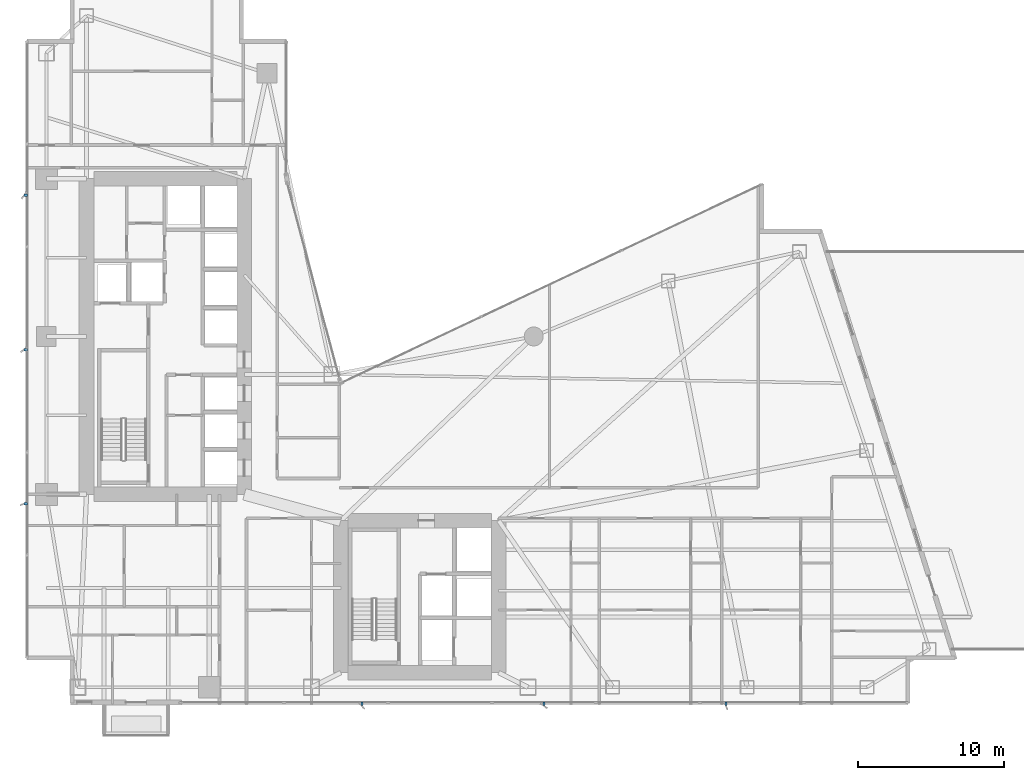
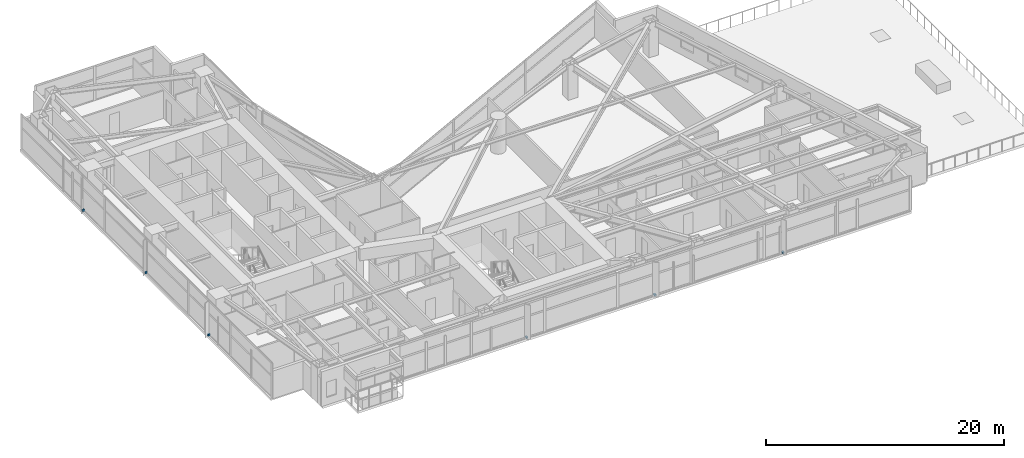
# One storey, part 27 of 30: 6 discrete accessories.
"""IFC4 building model written with IfcOpenShell, lengths in metres."""

from ifc_helpers import new_model, si_unit, direction, frame, origin, origin_2d, place, context, subcontext, project, spatial, rectangle, extrude, material, type_object, element, save


model = new_model("IFC4")

# Units and contexts
model_context = context("Model", 3, precision=1e-05, world=origin(), true_north=direction((0.0, 1.0)))
body_context = subcontext(model_context, "Body", "Model", "MODEL_VIEW")
ifc_project = project(units=[si_unit("LENGTHUNIT", "METRE"), si_unit("AREAUNIT", "SQUARE_METRE"), si_unit("VOLUMEUNIT", "CUBIC_METRE"), si_unit("PLANEANGLEUNIT", "RADIAN"), si_unit("MASSUNIT", "GRAM", prefix="KILO")], contexts=[model_context])

# Site, building, storey
site_placement = place(None, origin())
site = spatial("IfcSite", under=ifc_project, at=site_placement, CompositionType="ELEMENT")
building_placement = place(site_placement, origin())
building = spatial("IfcBuilding", under=site, at=building_placement, Name="Calvorn Quay Hotel", CompositionType="ELEMENT")
storey_placement = place(building_placement, frame((0.0, 0.0, 27.0)))
storey = spatial("IfcBuildingStorey", under=building, at=storey_placement, Name="L05", CompositionType="ELEMENT", Elevation=27.0)

# Discrete accessories
ifc_material = material(Name="Steel Q355B", Category="steel")
discrete_accessory_type = type_object("IfcDiscreteAccessoryType", Name="ACC-FIN-BRACKET", PredefinedType="BRACKET", material=ifc_material)
for number, where, z_axis, x_axis, name in (
    (1, (0.06005859375, 16.14990234375, 0.0302734375), (0.0, 0.0, 1.0), (1.0, 0.0, 0.0), "Fin Anchor Bracket L05-W01"),
    (2, (0.06005859375, 26.699951171875, 0.0302734375), (0.0, 0.0, 1.0), (1.0, 0.0, 0.0), "Fin Anchor Bracket L05-W02"),
    (3, (0.06005859375, 37.25, 0.0302734375), (0.0, 0.0, 1.0), (1.0, 0.0, 0.0), "Fin Anchor Bracket L05-W03"),
    (4, (23.050048828125, 2.4599609375, 0.0302734375), (0.0, 0.0, 1.0), (0.0, 1.0, 0.0), "Fin Anchor Bracket L05-S01"),
    (5, (35.5, 2.4599609375, 0.0302734375), (0.0, 0.0, 1.0), (0.0, 1.0, 0.0), "Fin Anchor Bracket L05-S02"),
    (6, (47.949951171875, 2.4599609375, 0.0302734375), (0.0, 0.0, 1.0), (0.0, 1.0, 0.0), "Fin Anchor Bracket L05-S03"),
):
    element("IfcDiscreteAccessory", number, at=place(storey_placement, frame(where, z_axis=z_axis, x_axis=x_axis)), inside=storey, type_object=discrete_accessory_type, Name=name, PredefinedType="BRACKET", context=body_context, shape_type="SweptSolid", body=[
        extrude(rectangle(XDim=0.239990234375, YDim=0.159912109375, at=origin_2d()), origin(), (0.0, 0.0, 1.0), 0.179931640625),
    ])

save(model, "model.ifc")
